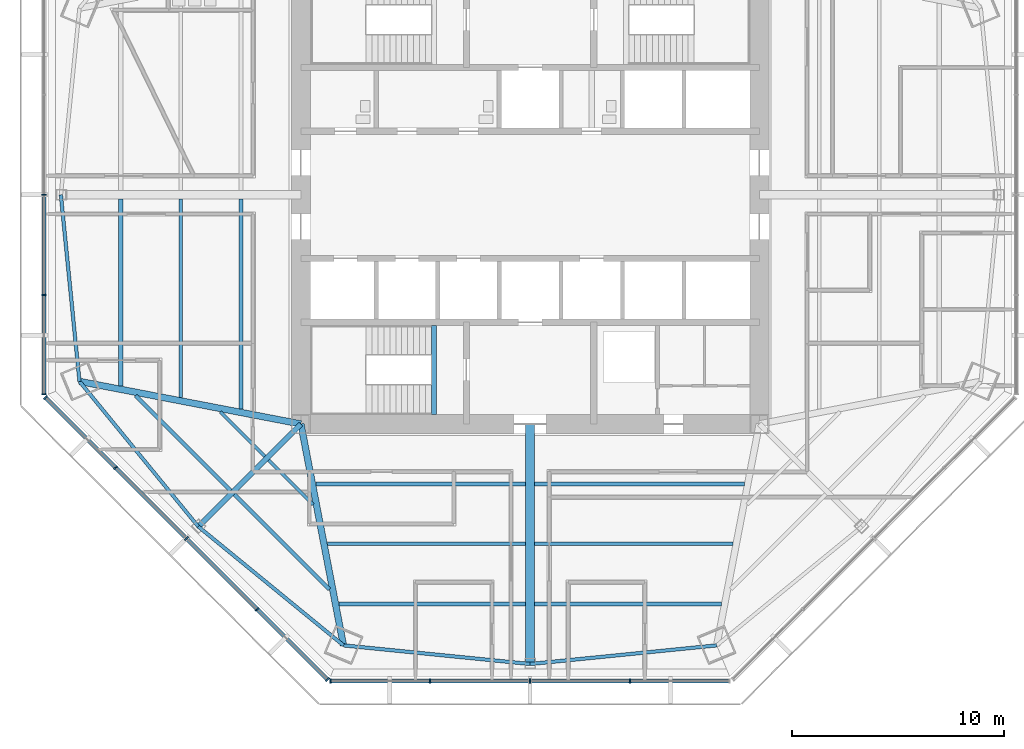
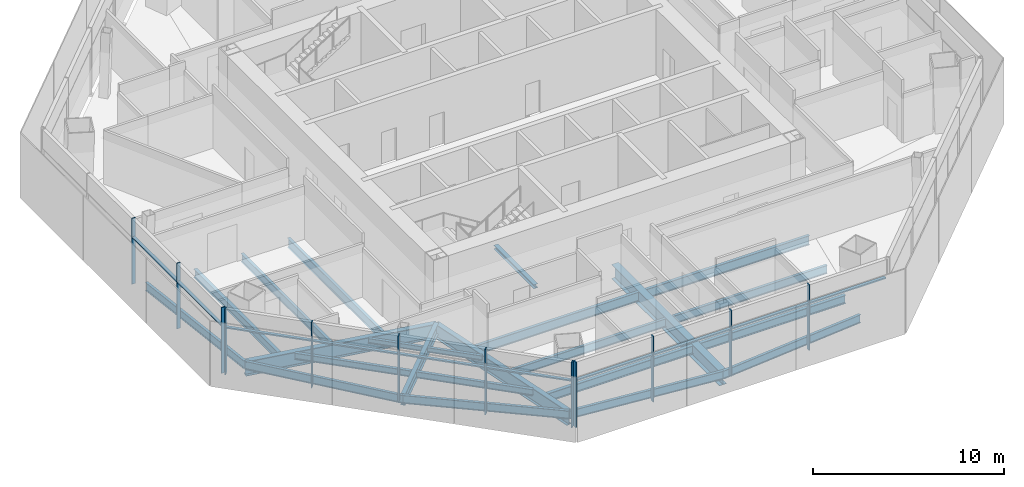
# One storey, part 2 of 14: 23 beams, 22 members, 3 elements without a shape of their own.
"""IFC4 building model written with IfcOpenShell, lengths in metres."""

import ifcopenshell
import ifcopenshell.guid

model = None  # the IFC model being written
_history = None  # IfcOwnerHistory: only IFC2X3 demands one
_inside = {}  # id of a spatial element -> (the spatial element, [elements in it])
_under = {}  # id of a project, library or spatial element -> (it, [spatial elements below it])
_declared = {}  # id of a project -> (the project, [libraries it declares])
_typed = {}  # id of a type object -> (the type object, [elements of that type])
_made_of = {}  # id of a material, layer set ... -> (it, [elements and type objects made of it])


def new_model(schema):
    """Start an empty IFC model of exactly this schema.

    Asked for "IFC4X3", IfcOpenShell would pick the latest addendum, in which some entities
    have other attributes; the version numbers below select the first issue.
    IFC2X3 requires an IfcOwnerHistory on every rooted entity: one is made here for all.
    """
    global model, _history
    if schema == "IFC4X3":
        model = ifcopenshell.file(schema_version=(4, 3, 0, 0))
    else:
        model = ifcopenshell.file(schema=schema)
    _inside.clear()
    _under.clear()
    _declared.clear()
    _typed.clear()
    _made_of.clear()
    _history = None
    if model.schema == "IFC2X3":
        org = make("IfcOrganization", Name="unknown")
        user = make(
            "IfcPersonAndOrganization",
            ThePerson=make("IfcPerson", FamilyName="unknown"),
            TheOrganization=org,
        )
        app = make(
            "IfcApplication",
            ApplicationDeveloper=org,
            Version="unknown",
            ApplicationFullName="unknown",
            ApplicationIdentifier="unknown",
        )
        _history = make(
            "IfcOwnerHistory",
            OwningUser=user,
            OwningApplication=app,
            ChangeAction="ADDED",
            CreationDate=0,
        )
    return model


def make(cls, **values):
    """One entity of the class cls with the attributes given. An attribute that is None is left unset."""
    return model.create_entity(
        cls, **{name: value for name, value in values.items() if value is not None}
    )


def rooted(cls, **values):
    """An entity with a GlobalId (a new one), such as an element, a storey or a relation."""
    return make(cls, GlobalId=ifcopenshell.guid.new(), OwnerHistory=_history, **values)


def si_unit(unit_type, name, prefix=None):
    """IfcSIUnit, for example si_unit("LENGTHUNIT", "METRE", prefix="MILLI")."""
    return make("IfcSIUnit", UnitType=unit_type, Prefix=prefix, Name=name)


def assignment(units):
    """IfcUnitAssignment: the units of a project."""
    return None if units is None else make("IfcUnitAssignment", Units=units)


def point(xyz):
    """IfcCartesianPoint."""
    return None if xyz is None else make("IfcCartesianPoint", Coordinates=xyz)


def direction(xyz):
    """IfcDirection."""
    return None if xyz is None else make("IfcDirection", DirectionRatios=xyz)


def frame(location, z_axis=None, x_axis=None):
    """IfcAxis2Placement3D, a coordinate frame: its origin and axes. An axis left out is left unset."""
    return make(
        "IfcAxis2Placement3D",
        Location=point(location),
        Axis=direction(z_axis),
        RefDirection=direction(x_axis),
    )


def frame_2d(location, x_axis=None):
    """IfcAxis2Placement2D, a coordinate frame in the plane: its origin and x axis."""
    return make(
        "IfcAxis2Placement2D", Location=point(location), RefDirection=direction(x_axis)
    )


def origin():
    """The frame at (0, 0, 0) with its axes left unset."""
    return frame((0.0, 0.0, 0.0))


def origin_2d():
    """The frame at (0, 0) in the plane with its x axis left unset."""
    return frame_2d((0.0, 0.0))


def place(relative_to, where):
    """IfcLocalPlacement: puts the frame where relative to a parent placement (None: the world)."""
    return make(
        "IfcLocalPlacement", PlacementRelTo=relative_to, RelativePlacement=where
    )


def context(
    kind, dimensions, precision=None, world=None, true_north=None, identifier=None
):
    """IfcGeometricRepresentationContext, for example the 3D "Model" context."""
    return make(
        "IfcGeometricRepresentationContext",
        ContextIdentifier=identifier,
        ContextType=kind,
        CoordinateSpaceDimension=dimensions,
        Precision=precision,
        WorldCoordinateSystem=world,
        TrueNorth=true_north,
    )


def subcontext(parent, identifier, kind, view, scale=None):
    """IfcGeometricRepresentationSubContext, for example "Body" below "Model"."""
    return make(
        "IfcGeometricRepresentationSubContext",
        ContextIdentifier=identifier,
        ContextType=kind,
        ParentContext=parent,
        TargetScale=scale,
        TargetView=view,
    )


def project(units=None, contexts=None):
    """IfcProject with its units and contexts."""
    return rooted(
        "IfcProject",
        Name="project",
        RepresentationContexts=contexts,
        UnitsInContext=assignment(units),
    )


def spatial(cls, under=None, at=None, **own):
    """A site, building, storey or space (cls), placed at a placement, below another one or the project."""
    s = rooted(cls, ObjectPlacement=at, **own)
    if under is not None:
        _under.setdefault(under.id(), (under, []))[1].append(s)
    return s


def profile(cls, at=None, kind="AREA", **sizes):
    """A parametric profile (cls). Its sizes go by their IFC names, for example OverallWidth=200.0."""
    return make(cls, ProfileType=kind, Position=at, **sizes)


def rectangle(**sizes):
    """IfcRectangleProfileDef."""
    return profile("IfcRectangleProfileDef", **sizes)


def i_section(**sizes):
    """IfcIShapeProfileDef."""
    return profile("IfcIShapeProfileDef", **sizes)


def extrude(swept, where, along, depth):
    """IfcExtrudedAreaSolid: the profile swept, set in the frame where, extruded along a direction by depth."""
    return make(
        "IfcExtrudedAreaSolid",
        SweptArea=swept,
        Position=where,
        ExtrudedDirection=direction(along),
        Depth=depth,
    )


def shape(context_of_items, identifier, shape_type, items):
    """IfcShapeRepresentation: the items that make up one representation, for example the "Body"."""
    return make(
        "IfcShapeRepresentation",
        ContextOfItems=context_of_items,
        RepresentationIdentifier=identifier,
        RepresentationType=shape_type,
        Items=items,
    )


def source(mapping_origin, context_of_items, identifier, shape_type, items):
    """IfcRepresentationMap: a shape defined once, which mapped items show again and again."""
    return make(
        "IfcRepresentationMap",
        MappingOrigin=mapping_origin,
        MappedRepresentation=shape(context_of_items, identifier, shape_type, items),
    )


def transform(
    local_origin,
    x_axis=None,
    y_axis=None,
    z_axis=None,
    scale=None,
    scale2=None,
    scale3=None,
    uniform=True,
):
    """IfcCartesianTransformationOperator3D, or its non-uniform kind. x_axis, y_axis, z_axis: its Axis1, 2, 3."""
    if uniform:
        return make(
            "IfcCartesianTransformationOperator3D",
            Axis1=direction(x_axis),
            Axis2=direction(y_axis),
            LocalOrigin=point(local_origin),
            Scale=scale,
            Axis3=direction(z_axis),
        )
    return make(
        "IfcCartesianTransformationOperator3DnonUniform",
        Axis1=direction(x_axis),
        Axis2=direction(y_axis),
        LocalOrigin=point(local_origin),
        Scale=scale,
        Axis3=direction(z_axis),
        Scale2=scale2,
        Scale3=scale3,
    )


def mapped(mapping_source, mapping_target):
    """IfcMappedItem: shows the shape of a source again, moved by a transform."""
    return make(
        "IfcMappedItem", MappingSource=mapping_source, MappingTarget=mapping_target
    )


def material(Name=None, Category=None):
    """IfcMaterial."""
    return make("IfcMaterial", Name=Name, Category=Category)


def material_profile(
    of_material, cross_section, Name=None, Category=None, Priority=None
):
    """IfcMaterialProfile: a cross section and its material."""
    return make(
        "IfcMaterialProfile",
        Name=Name,
        Material=of_material,
        Profile=cross_section,
        Priority=Priority,
        Category=Category,
    )


def profile_set(profiles, Name=None, composite=None):
    """IfcMaterialProfileSet."""
    return make(
        "IfcMaterialProfileSet",
        Name=Name,
        MaterialProfiles=profiles,
        CompositeProfile=composite,
    )


def made_of(thing, what):
    """Note that an element or type object is made of a material, layer set ...; save() writes the relation."""
    if what is not None:
        _made_of.setdefault(what.id(), (what, []))[1].append(thing)
    return thing


def type_object(cls, material=None, **own):
    """A type object (cls), such as IfcWallType, which elements share."""
    return made_of(rooted(cls, **own), material)


def type_shapes(of_type, sources):
    """Give a type object the sources (RepresentationMaps) that its elements show as mapped items."""
    of_type.RepresentationMaps = sources


def element(
    cls,
    number,
    at=None,
    inside=None,
    cuts=None,
    type_object=None,
    material=None,
    context=None,
    identifier="Body",
    shape_type=None,
    held_by="IfcProductDefinitionShape",
    body=None,
    shapes=None,
    **own,
):
    """One element of the class cls, such as IfcWall. Its Tag is "e" and its number.

    at: its placement. inside: the storey or other place that contains it. cuts: it is an
    opening in that element (IfcRelVoidsElement). A single representation is given by context,
    identifier, shape_type and body (its items); several are given by shapes. held_by: the class
    of the entity that holds the representations. save() writes the other relations.
    """
    e = rooted(cls, Tag="e%d" % number, ObjectPlacement=at, **own)
    if body is not None:
        shapes = [shape(context, identifier, shape_type, body)]
    if shapes is not None:
        e.Representation = make(held_by, Representations=shapes)
    if inside is not None:
        _inside.setdefault(inside.id(), (inside, []))[1].append(e)
    if cuts is not None:
        rooted(
            "IfcRelVoidsElement", RelatingBuildingElement=cuts, RelatedOpeningElement=e
        )
    if type_object is not None:
        _typed.setdefault(type_object.id(), (type_object, []))[1].append(e)
    return made_of(e, material)


def aggregate(whole, parts):
    """IfcRelAggregates: a whole, such as a stair, and the parts it consists of."""
    return rooted("IfcRelAggregates", RelatingObject=whole, RelatedObjects=parts)


def save(model, path):
    """Write the relations noted so far, then the file.

    IfcRelAggregates (storeys below a building ...), IfcRelContainedInSpatialStructure (elements
    in a storey), IfcRelDefinesByType, IfcRelAssociatesMaterial and IfcRelDeclares: one each for
    every whole, place, type object, material and project.
    """
    for whole, parts in _under.values():
        aggregate(whole, parts)
    for where, things in _inside.values():
        rooted(
            "IfcRelContainedInSpatialStructure",
            RelatedElements=things,
            RelatingStructure=where,
        )
    for kind, things in _typed.values():
        rooted("IfcRelDefinesByType", RelatedObjects=things, RelatingType=kind)
    for what, things in _made_of.values():
        rooted("IfcRelAssociatesMaterial", RelatedObjects=things, RelatingMaterial=what)
    for by, libraries in _declared.values():
        rooted("IfcRelDeclares", RelatingContext=by, RelatedDefinitions=libraries)
    model.write(path)


model = new_model("IFC4")

# Units and contexts
model_context = context("Model", 3, precision=1e-05, world=origin(), true_north=direction((0.0, 1.0)))
body_context = subcontext(model_context, "Body", "Model", "MODEL_VIEW")
ifc_project = project(units=[si_unit("LENGTHUNIT", "METRE"), si_unit("AREAUNIT", "SQUARE_METRE"), si_unit("VOLUMEUNIT", "CUBIC_METRE"), si_unit("PLANEANGLEUNIT", "RADIAN"), si_unit("MASSUNIT", "GRAM", prefix="KILO")], contexts=[model_context])

# Site, building, storey
site_placement = place(None, origin())
site = spatial("IfcSite", under=ifc_project, at=site_placement, CompositionType="ELEMENT")
building_placement = place(site_placement, origin())
building = spatial("IfcBuilding", under=site, at=building_placement, Name="Mashrafa Tower", CompositionType="ELEMENT")
storey_placement = place(building_placement, frame((0.0, 0.0, 180.60009765625)))
storey = spatial("IfcBuildingStorey", under=building, at=storey_placement, Name="L41", CompositionType="ELEMENT", Elevation=180.60009765625)

# Beams
ifc_material_1 = material(Name="Steel ASTM A992", Category="steel")
ifc_material_profile_1 = material_profile(ifc_material_1, i_section(OverallWidth=0.164794921875, OverallDepth=0.309814453125, WebThickness=0.005859375, FlangeThickness=0.009765625, FilletRadius=0.007568359375, at=origin_2d()), Name="W12X26")
ifc_profile_set_1 = profile_set([ifc_material_profile_1], Name="Steel ASTM A992")
beam_type_1 = type_object("IfcBeamType", Name="Beam W12X26", PredefinedType="BEAM", material=ifc_profile_set_1)
for number, where, z_axis, x_axis, name in (
    (1, (-12.501220703125, -12.32177734375, -0.320068359375), (-0.707106781187, 0.707106781187, 0.0), (-0.707106781187, -0.707106781187, 0.0), "Floor beam L41 011"),
    (2, (-10.226806640625, -14.59619140625, -0.320068359375), (-0.707106781187, 0.707106781187, 0.0), (-0.707106781187, -0.707106781187, 0.0), "Floor beam L41 014"),
):
    element("IfcBeam", number, at=place(storey_placement, frame(where, z_axis=z_axis, x_axis=x_axis)), inside=storey, type_object=beam_type_1, Name=name, PredefinedType="BEAM", context=body_context, shape_type="SweptSolid", body=[
        extrude(i_section(OverallWidth=0.164794921875, OverallDepth=0.309814453125, WebThickness=0.005859375, FlangeThickness=0.009765625, FilletRadius=0.007568359375, at=origin_2d()), origin(), (0.0, 0.0, 1.0), 2.962646484375),
    ])
ifc_material_2 = material(Name="Steel ASTM A992", Category="steel")
ifc_material_profile_2 = material_profile(ifc_material_2, i_section(OverallWidth=0.177734375, OverallDepth=0.406494140625, WebThickness=0.0078125, FlangeThickness=0.012939453125, FilletRadius=0.01025390625, at=origin_2d()), Name="W16X40")
ifc_profile_set_2 = profile_set([ifc_material_profile_2], Name="Steel ASTM A992")
beam_type_2 = type_object("IfcBeamType", Name="Beam W16X40", PredefinedType="BEAM", material=ifc_profile_set_2)
for number, where, z_axis, x_axis, name in (
    (3, (-14.11279296875, -13.93310546875, -0.368408203125), (-0.707106781187, 0.707106781187, 0.0), (-0.707106781187, -0.707106781187, 0.0), "Floor beam L41 007"),
    (4, (-9.459716796875, -18.586181640625, -0.368408203125), (-0.707106781187, 0.707106781187, 0.0), (-0.707106781187, -0.707106781187, 0.0), "Floor beam L41 016"),
):
    element("IfcBeam", number, at=place(storey_placement, frame(where, z_axis=z_axis, x_axis=x_axis)), inside=storey, type_object=beam_type_2, Name=name, PredefinedType="BEAM", context=body_context, shape_type="SweptSolid", body=[
        extrude(i_section(OverallWidth=0.177734375, OverallDepth=0.406494140625, WebThickness=0.0078125, FlangeThickness=0.012939453125, FilletRadius=0.01025390625, at=origin_2d()), origin(), (0.0, 0.0, 1.0), 6.326416015625),
    ])
ifc_material_3 = material(Name="Steel ASTM A992", Category="steel")
ifc_material_profile_3 = material_profile(ifc_material_3, i_section(OverallWidth=0.1650390625, OverallDepth=0.52587890625, WebThickness=0.0087890625, FlangeThickness=0.011474609375, FilletRadius=0.0126953125, at=origin_2d()), Name="W21X44")
ifc_profile_set_3 = profile_set([ifc_material_profile_3], Name="Steel ASTM A992")
beam_type_3 = type_object("IfcBeamType", Name="Beam W21X44", PredefinedType="BEAM", material=ifc_profile_set_3)
for number, where, z_axis, x_axis, name in (
    (5, (-16.455078125, -9.556396484375, -0.427978515625), (0.0, 1.0, 0.0), (-1.0, 0.0, 0.0), "Floor beam L41 004"),
    (6, (-0.20947265625, -16.455078125, -0.427978515625), (-1.0, 0.0, 0.0), (0.0, -1.0, 0.0), "Floor beam L41 019"),
    (7, (9.556396484375, -16.455078125, -0.427978515625), (-1.0, 0.0, 0.0), (0.0, -1.0, 0.0), "Floor beam L41 026"),
):
    element("IfcBeam", number, at=place(storey_placement, frame(where, z_axis=z_axis, x_axis=x_axis)), inside=storey, type_object=beam_type_3, Name=name, PredefinedType="BEAM", context=body_context, shape_type="SweptSolid", body=[
        extrude(i_section(OverallWidth=0.1650390625, OverallDepth=0.52587890625, WebThickness=0.0087890625, FlangeThickness=0.011474609375, FilletRadius=0.0126953125, at=origin_2d()), origin(), (0.0, 0.0, 1.0), 9.346923828125),
    ])
beam_1_placement = place(storey_placement, frame((-22.110595703125, 0.0, -0.427978515625), z_axis=(0.099358767287, -0.99505167472, 0.0), x_axis=(0.99505167472, 0.099358767287, 0.0)))
element("IfcBeam", 8, at=beam_1_placement, inside=storey, type_object=beam_type_3, Name="Spandrel beam L41 057", PredefinedType="BEAM", context=body_context, shape_type="SweptSolid", body=[
    extrude(i_section(OverallWidth=0.1650390625, OverallDepth=0.52587890625, WebThickness=0.0087890625, FlangeThickness=0.011474609375, FilletRadius=0.0126953125, at=origin_2d()), origin(), (0.0, 0.0, 1.0), 8.83837890625),
])
for number, where, z_axis, x_axis, name in (
    (9, (-21.232421875, -8.794677734375, -0.427978515625), (0.63335059718, -0.773864988904, 0.0), (0.773864988904, 0.63335059718, 0.0), "Spandrel beam L41 058"),
    (10, (-15.634521484375, -15.634521484375, -0.427978515625), (0.773864988904, -0.63335059718, 0.0), (0.63335059718, 0.773864988904, 0.0), "Spandrel beam L41 060"),
):
    element("IfcBeam", number, at=place(storey_placement, frame(where, z_axis=z_axis, x_axis=x_axis)), inside=storey, type_object=beam_type_3, Name=name, PredefinedType="BEAM", context=body_context, shape_type="SweptSolid", body=[
        extrude(i_section(OverallWidth=0.1650390625, OverallDepth=0.52587890625, WebThickness=0.0087890625, FlangeThickness=0.011474609375, FilletRadius=0.0126953125, at=origin_2d()), origin(), (0.0, 0.0, 1.0), 8.838623046875),
    ])
for number, where, z_axis, x_axis, name in (
    (11, (-8.794677734375, -21.232421875, -0.427978515625), (0.99505167472, -0.099358767287, 0.0), (0.099358767287, 0.99505167472, 0.0), "Spandrel beam L41 062"),
    (12, (0.0, -22.110595703125, -0.427978515625), (0.99505167472, 0.099358767287, 0.0), (-0.099358767287, 0.99505167472, 0.0), "Spandrel beam L41 064"),
):
    element("IfcBeam", number, at=place(storey_placement, frame(where, z_axis=z_axis, x_axis=x_axis)), inside=storey, type_object=beam_type_3, Name=name, PredefinedType="BEAM", context=body_context, shape_type="SweptSolid", body=[
        extrude(i_section(OverallWidth=0.1650390625, OverallDepth=0.52587890625, WebThickness=0.0087890625, FlangeThickness=0.011474609375, FilletRadius=0.0126953125, at=origin_2d()), origin(), (0.0, 0.0, 1.0), 8.83837890625),
    ])
ifc_material_4 = material(Name="Steel ASTM A992", Category="steel")
ifc_material_profile_4 = material_profile(ifc_material_4, i_section(OverallWidth=0.209228515625, OverallDepth=0.533447265625, WebThickness=0.01025390625, FlangeThickness=0.015625, FilletRadius=0.012939453125, at=origin_2d()), Name="W21X62")
ifc_profile_set_4 = profile_set([ifc_material_profile_4], Name="Steel ASTM A992")
beam_type_4 = type_object("IfcBeamType", Name="Beam W21X62", PredefinedType="BEAM", material=ifc_profile_set_4)
for number, where, z_axis, x_axis, name in (
    (13, (-19.282958984375, -9.012939453125, -0.431884765625), (0.0, 1.0, 0.0), (-1.0, 0.0, 0.0), "Floor beam L41 001"),
    (14, (-0.20947265625, -19.282958984375, -0.431884765625), (-1.0, 0.0, 0.0), (0.0, -1.0, 0.0), "Floor beam L41 018"),
    (15, (9.012939453125, -19.282958984375, -0.431884765625), (-1.0, 0.0, 0.0), (0.0, -1.0, 0.0), "Floor beam L41 024"),
):
    element("IfcBeam", number, at=place(storey_placement, frame(where, z_axis=z_axis, x_axis=x_axis)), inside=storey, type_object=beam_type_4, Name=name, PredefinedType="BEAM", context=body_context, shape_type="SweptSolid", body=[
        extrude(i_section(OverallWidth=0.209228515625, OverallDepth=0.533447265625, WebThickness=0.01025390625, FlangeThickness=0.015625, FilletRadius=0.012939453125, at=origin_2d()), origin(), (0.0, 0.0, 1.0), 8.803466796875),
    ])
ifc_material_5 = material(Name="Steel ASTM A992", Category="steel")
ifc_material_profile_5 = material_profile(ifc_material_5, i_section(OverallWidth=0.177978515625, OverallDepth=0.599365234375, WebThickness=0.010009765625, FlangeThickness=0.012939453125, FilletRadius=0.012939453125, at=origin_2d()), Name="W24X55")
ifc_profile_set_5 = profile_set([ifc_material_profile_5], Name="Steel ASTM A992")
beam_type_5 = type_object("IfcBeamType", Name="Beam W24X55", PredefinedType="BEAM", material=ifc_profile_set_5)
for number, where, z_axis, x_axis, name in (
    (16, (-13.627685546875, -10.10009765625, -0.46484375), (0.0, 1.0, 0.0), (-1.0, 0.0, 0.0), "Floor beam L41 009"),
    (17, (-0.20947265625, -13.627685546875, -0.46484375), (-1.0, 0.0, 0.0), (0.0, -1.0, 0.0), "Floor beam L41 020"),
    (18, (10.10009765625, -13.627685546875, -0.46484375), (-1.0, 0.0, 0.0), (0.0, -1.0, 0.0), "Floor beam L41 028"),
):
    element("IfcBeam", number, at=place(storey_placement, frame(where, z_axis=z_axis, x_axis=x_axis)), inside=storey, type_object=beam_type_5, Name=name, PredefinedType="BEAM", context=body_context, shape_type="SweptSolid", body=[
        extrude(i_section(OverallWidth=0.177978515625, OverallDepth=0.599365234375, WebThickness=0.010009765625, FlangeThickness=0.012939453125, FilletRadius=0.012939453125, at=origin_2d()), origin(), (0.0, 0.0, 1.0), 9.890625),
    ])
ifc_material_6 = material(Name="Steel ASTM A992", Category="steel")
ifc_material_profile_6 = material_profile(ifc_material_6, i_section(OverallWidth=0.25390625, OverallDepth=0.683349609375, WebThickness=0.012451171875, FlangeThickness=0.01904296875, FilletRadius=0.01513671875, at=origin_2d()), Name="W27X94")
ifc_profile_set_6 = profile_set([ifc_material_profile_6], Name="Steel ASTM A992")
beam_type_6 = type_object("IfcBeamType", Name="Beam W27X94", PredefinedType="BEAM", material=ifc_profile_set_6)
beam_2_placement = place(storey_placement, frame((-10.800048828125, -10.800048828125, -0.5068359375), z_axis=(-0.707106781187, -0.707106781187, 0.0), x_axis=(0.707106781187, -0.707106781187, 0.0)))
element("IfcBeam", 19, at=beam_2_placement, inside=storey, type_object=beam_type_6, Name="Radial girder L41 042", PredefinedType="BEAM", context=body_context, shape_type="SweptSolid", body=[
    extrude(i_section(OverallWidth=0.25390625, OverallDepth=0.683349609375, WebThickness=0.012451171875, FlangeThickness=0.01904296875, FilletRadius=0.01513671875, at=origin_2d()), origin(), (0.0, 0.0, 1.0), 6.8369140625),
])
ifc_material_7 = material(Name="Steel ASTM A992", Category="steel")
ifc_material_profile_7 = material_profile(ifc_material_7, i_section(OverallWidth=0.307373046875, OverallDepth=0.927001953125, WebThickness=0.01953125, FlangeThickness=0.031982421875, FilletRadius=0.01904296875, at=origin_2d()), Name="W36X194")
ifc_profile_set_7 = profile_set([ifc_material_profile_7], Name="Steel ASTM A992")
beam_type_7 = type_object("IfcBeamType", Name="Beam W36X194", PredefinedType="BEAM", material=ifc_profile_set_7)
for number, where, z_axis, x_axis, name in (
    (20, (-10.800048828125, -10.800048828125, -0.628662109375), (-0.982021360566, 0.188769826489, 0.0), (-0.188769826489, -0.982021360566, 0.0), "Radial girder L41 041"),
    (21, (-10.800048828125, -10.800048828125, -0.628662109375), (0.188769826489, -0.982021360566, 0.0), (0.982021360566, 0.188769826489, 0.0), "Radial girder L41 043"),
):
    element("IfcBeam", number, at=place(storey_placement, frame(where, z_axis=z_axis, x_axis=x_axis)), inside=storey, type_object=beam_type_7, Name=name, PredefinedType="BEAM", context=body_context, shape_type="SweptSolid", body=[
        extrude(i_section(OverallWidth=0.307373046875, OverallDepth=0.927001953125, WebThickness=0.01953125, FlangeThickness=0.031982421875, FilletRadius=0.01904296875, at=origin_2d()), origin(), (0.0, 0.0, 1.0), 10.623291015625),
    ])
ifc_material_8 = material(Name="Steel ASTM A992", Category="steel")
ifc_material_profile_8 = material_profile(ifc_material_8, i_section(OverallWidth=0.419189453125, OverallDepth=0.927001953125, WebThickness=0.019287109375, FlangeThickness=0.031982421875, FilletRadius=0.020263671875, at=origin_2d()), Name="W36X231")
ifc_profile_set_8 = profile_set([ifc_material_profile_8], Name="Steel ASTM A992")
beam_type_8 = type_object("IfcBeamType", Name="Beam W36X231", PredefinedType="BEAM", material=ifc_profile_set_8)
beam_3_placement = place(storey_placement, frame((0.0, -10.800048828125, -0.628662109375), z_axis=(0.0, -1.0, 0.0), x_axis=(1.0, 0.0, 0.0)))
element("IfcBeam", 22, at=beam_3_placement, inside=storey, type_object=beam_type_8, Name="Radial girder L41 048", PredefinedType="BEAM", context=body_context, shape_type="SweptSolid", body=[
    extrude(i_section(OverallWidth=0.419189453125, OverallDepth=0.927001953125, WebThickness=0.019287109375, FlangeThickness=0.031982421875, FilletRadius=0.020263671875, at=origin_2d()), origin(), (0.0, 0.0, 1.0), 11.310546875),
])
ifc_material_9 = material(Name="Steel ASTM A992", Category="steel")
ifc_material_profile_9 = material_profile(ifc_material_9, i_section(OverallWidth=0.25390625, OverallDepth=0.25390625, WebThickness=0.008544921875, FlangeThickness=0.01416015625, FilletRadius=0.010009765625, at=origin_2d()), Name="W10X49")
ifc_profile_set_9 = profile_set([ifc_material_profile_9], Name="Steel ASTM A992")
beam_type_9 = type_object("IfcBeamType", Name="Hoistway beam W10X49", PredefinedType="BEAM", material=ifc_profile_set_9)
beam_4_placement = place(storey_placement, frame((-4.530029296875, -10.35009765625, -0.3271484375), z_axis=(0.0, 1.0, 0.0), x_axis=(-1.0, 0.0, 0.0)))
element("IfcBeam", 23, at=beam_4_placement, inside=storey, type_object=beam_type_9, Name="Stair S3 landing beam L41", PredefinedType="BEAM", context=body_context, shape_type="SweptSolid", body=[
    extrude(i_section(OverallWidth=0.25390625, OverallDepth=0.25390625, WebThickness=0.008544921875, FlangeThickness=0.01416015625, FilletRadius=0.010009765625, at=origin_2d()), origin(), (0.0, 0.0, 1.0), 4.2001953125),
])

# Curtain wall, members
ifc_material_10 = material(Name="Unitised aluminium curtain wall", Category="aluminium")
curtain_wall_type = type_object("IfcCurtainWallType", Name="Office curtain wall, zone 2 CW-B 225 deep", PredefinedType="NOTDEFINED", material=ifc_material_10)
curtain_wall_1_placement = place(storey_placement, origin())
curtain_wall_1 = element("IfcCurtainWall", 24, at=curtain_wall_1_placement, inside=storey, type_object=curtain_wall_type, Name="Office curtain wall, zone 2 L41 west", PredefinedType="NOTDEFINED")
ifc_material_11 = material(Name="Extruded aluminium mullion", Category="aluminium")
ifc_material_profile_10 = material_profile(ifc_material_11, rectangle(XDim=0.22509765625, YDim=0.06494140625, at=origin_2d()), Name="Mullion 65x225")
ifc_profile_set_10 = profile_set([ifc_material_profile_10], Name="Extruded aluminium mullion")
member_type_1 = type_object("IfcMemberType", Name="Mullion CW-B 65 x 225", PredefinedType="MULLION", material=ifc_profile_set_10)
shared_shape_1 = source(origin(), body_context, "Body", "SweptSolid", [
    extrude(rectangle(XDim=0.22509765625, YDim=0.06494140625, at=origin_2d()), origin(), (0.0, 0.0, 1.0), 4.199951171875),
])
type_shapes(member_type_1, [shared_shape_1])
member_1_placement = place(storey_placement, frame((-22.90576171875, 0.0, 0.0), z_axis=(0.0, 0.0, 1.0), x_axis=(1.0, 0.0, 0.0)))
member_1 = element("IfcMember", 25, at=member_1_placement, type_object=member_type_1, Name="CW-B mullion 3", PredefinedType="MULLION", context=body_context, shape_type="MappedRepresentation", body=[
    mapped(shared_shape_1, transform((0.0, 0.0, 0.0))),
])
member_2_placement = place(storey_placement, frame((-22.90576171875, -4.715576171875, 0.0), z_axis=(0.0, 0.0, 1.0), x_axis=(1.0, 0.0, 0.0)))
member_2 = element("IfcMember", 26, at=member_2_placement, type_object=member_type_1, Name="CW-B mullion 4", PredefinedType="MULLION", context=body_context, shape_type="MappedRepresentation", body=[
    mapped(shared_shape_1, transform((0.0, 0.0, 0.0))),
])
member_3_placement = place(storey_placement, frame((-22.90576171875, -9.398681640625, 0.0), z_axis=(0.0, 0.0, 1.0), x_axis=(1.0, 0.0, 0.0)))
member_3 = element("IfcMember", 27, at=member_3_placement, type_object=member_type_1, Name="CW-B mullion 5", PredefinedType="MULLION", context=body_context, shape_type="MappedRepresentation", body=[
    mapped(shared_shape_1, transform((0.0, 0.0, 0.0))),
])

curtain_wall_2_placement = place(storey_placement, origin())
curtain_wall_2 = element("IfcCurtainWall", 28, at=curtain_wall_2_placement, inside=storey, type_object=curtain_wall_type, Name="Office curtain wall, zone 2 L41 south-west", PredefinedType="NOTDEFINED")
member_4_placement = place(storey_placement, frame((-22.8427734375, -9.55078125, 0.0), z_axis=(0.0, 0.0, 1.0), x_axis=(0.707106781187, 0.707106781187, 0.0)))
member_4 = element("IfcMember", 29, at=member_4_placement, type_object=member_type_1, Name="CW-B mullion 1", PredefinedType="MULLION", context=body_context, shape_type="MappedRepresentation", body=[
    mapped(shared_shape_1, transform((0.0, 0.0, 0.0))),
])
member_5_placement = place(storey_placement, frame((-19.53125, -12.8623046875, 0.0), z_axis=(0.0, 0.0, 1.0), x_axis=(0.707106781187, 0.707106781187, 0.0)))
member_5 = element("IfcMember", 30, at=member_5_placement, type_object=member_type_1, Name="CW-B mullion 2", PredefinedType="MULLION", context=body_context, shape_type="MappedRepresentation", body=[
    mapped(shared_shape_1, transform((0.0, 0.0, 0.0))),
])
member_6_placement = place(storey_placement, frame((-16.19677734375, -16.19677734375, 0.0), z_axis=(0.0, 0.0, 1.0), x_axis=(0.707106781187, 0.707106781187, 0.0)))
member_6 = element("IfcMember", 31, at=member_6_placement, type_object=member_type_1, Name="CW-B mullion 3", PredefinedType="MULLION", context=body_context, shape_type="MappedRepresentation", body=[
    mapped(shared_shape_1, transform((0.0, 0.0, 0.0))),
])
member_7_placement = place(storey_placement, frame((-12.8623046875, -19.53125, 0.0), z_axis=(0.0, 0.0, 1.0), x_axis=(0.707106781187, 0.707106781187, 0.0)))
member_7 = element("IfcMember", 32, at=member_7_placement, type_object=member_type_1, Name="CW-B mullion 4", PredefinedType="MULLION", context=body_context, shape_type="MappedRepresentation", body=[
    mapped(shared_shape_1, transform((0.0, 0.0, 0.0))),
])
member_8_placement = place(storey_placement, frame((-9.55078125, -22.8427734375, 0.0), z_axis=(0.0, 0.0, 1.0), x_axis=(0.707106781187, 0.707106781187, 0.0)))
member_8 = element("IfcMember", 33, at=member_8_placement, type_object=member_type_1, Name="CW-B mullion 5", PredefinedType="MULLION", context=body_context, shape_type="MappedRepresentation", body=[
    mapped(shared_shape_1, transform((0.0, 0.0, 0.0))),
])

curtain_wall_3_placement = place(storey_placement, origin())
curtain_wall_3 = element("IfcCurtainWall", 34, at=curtain_wall_3_placement, inside=storey, type_object=curtain_wall_type, Name="Office curtain wall, zone 2 L41 south", PredefinedType="NOTDEFINED")
member_9_placement = place(storey_placement, frame((-9.398681640625, -22.90576171875, 0.0), z_axis=(0.0, 0.0, 1.0), x_axis=(0.0, 1.0, 0.0)))
member_9 = element("IfcMember", 35, at=member_9_placement, type_object=member_type_1, Name="CW-B mullion 1", PredefinedType="MULLION", context=body_context, shape_type="MappedRepresentation", body=[
    mapped(shared_shape_1, transform((0.0, 0.0, 0.0))),
])
member_10_placement = place(storey_placement, frame((-4.715576171875, -22.90576171875, 0.0), z_axis=(0.0, 0.0, 1.0), x_axis=(0.0, 1.0, 0.0)))
member_10 = element("IfcMember", 36, at=member_10_placement, type_object=member_type_1, Name="CW-B mullion 2", PredefinedType="MULLION", context=body_context, shape_type="MappedRepresentation", body=[
    mapped(shared_shape_1, transform((0.0, 0.0, 0.0))),
])
member_11_placement = place(storey_placement, frame((0.0, -22.90576171875, 0.0), z_axis=(0.0, 0.0, 1.0), x_axis=(0.0, 1.0, 0.0)))
member_11 = element("IfcMember", 37, at=member_11_placement, type_object=member_type_1, Name="CW-B mullion 3", PredefinedType="MULLION", context=body_context, shape_type="MappedRepresentation", body=[
    mapped(shared_shape_1, transform((0.0, 0.0, 0.0))),
])
member_12_placement = place(storey_placement, frame((4.715576171875, -22.90576171875, 0.0), z_axis=(0.0, 0.0, 1.0), x_axis=(0.0, 1.0, 0.0)))
member_12 = element("IfcMember", 38, at=member_12_placement, type_object=member_type_1, Name="CW-B mullion 4", PredefinedType="MULLION", context=body_context, shape_type="MappedRepresentation", body=[
    mapped(shared_shape_1, transform((0.0, 0.0, 0.0))),
])

# Member
ifc_material_12 = material(Name="Extruded aluminium transom", Category="aluminium")
ifc_material_profile_11 = material_profile(ifc_material_12, rectangle(XDim=0.179931640625, YDim=0.080078125, at=origin_2d()), Name="Transom 80x180")
ifc_profile_set_11 = profile_set([ifc_material_profile_11], Name="Extruded aluminium transom")
member_type_2 = type_object("IfcMemberType", Name="Transom CW-B 80 x 180", PredefinedType="MULLION", material=ifc_profile_set_11)
shared_shape_2 = source(origin(), body_context, "Body", "SweptSolid", [
    extrude(rectangle(XDim=0.179931640625, YDim=0.080078125, at=origin_2d()), origin(), (0.0, 0.0, 1.0), 4.6181640625),
])
member_13_placement = place(storey_placement, frame((-22.90576171875, -4.748046875, 3.0), z_axis=(0.0, -1.0, 0.0), x_axis=(1.0, 0.0, 0.0)))
member_13 = element("IfcMember", 39, at=member_13_placement, type_object=member_type_2, Name="CW-B transom 4", PredefinedType="MULLION", context=body_context, shape_type="MappedRepresentation", body=[
    mapped(shared_shape_2, transform((0.0, 0.0, 0.0))),
])

member_14_placement = place(storey_placement, frame((-22.81982421875, -9.573974609375, 3.0), z_axis=(0.707133213603, -0.707080347782, 0.0), x_axis=(0.707080347782, 0.707133213603, 0.0)))
member_14 = element("IfcMember", 40, at=member_14_placement, type_object=member_type_2, Name="CW-B transom 1", PredefinedType="MULLION", context=body_context, shape_type="MappedRepresentation", body=[
    mapped(shared_shape_2, transform((0.0, 0.0, 0.0))),
])

member_15_placement = place(storey_placement, frame((-12.83935546875, -19.55419921875, 3.0), z_axis=(0.707080347782, -0.707133213603, 0.0), x_axis=(0.707133213603, 0.707080347782, 0.0)))
member_15 = element("IfcMember", 41, at=member_15_placement, type_object=member_type_2, Name="CW-B transom 4", PredefinedType="MULLION", context=body_context, shape_type="MappedRepresentation", body=[
    mapped(shared_shape_2, transform((0.0, 0.0, 0.0))),
])

member_16_placement = place(storey_placement, frame((-9.3662109375, -22.90576171875, 3.0), z_axis=(1.0, 0.0, 0.0), x_axis=(0.0, 1.0, 0.0)))
member_16 = element("IfcMember", 42, at=member_16_placement, type_object=member_type_2, Name="CW-B transom 1", PredefinedType="MULLION", context=body_context, shape_type="MappedRepresentation", body=[
    mapped(shared_shape_2, transform((0.0, 0.0, 0.0))),
])

member_17_placement = place(storey_placement, frame((4.748046875, -22.90576171875, 3.0), z_axis=(1.0, 0.0, 0.0), x_axis=(0.0, 1.0, 0.0)))
member_17 = element("IfcMember", 43, at=member_17_placement, type_object=member_type_2, Name="CW-B transom 4", PredefinedType="MULLION", context=body_context, shape_type="MappedRepresentation", body=[
    mapped(shared_shape_2, transform((0.0, 0.0, 0.0))),
])

shared_shape_3 = source(origin(), body_context, "Body", "SweptSolid", [
    extrude(rectangle(XDim=0.179931640625, YDim=0.080078125, at=origin_2d()), origin(), (0.0, 0.0, 1.0), 4.650634765625),
])
type_shapes(member_type_2, [shared_shape_2, shared_shape_3])
member_18_placement = place(storey_placement, frame((-22.90576171875, -0.032470703125, 3.0), z_axis=(0.0, -1.0, 0.0), x_axis=(1.0, 0.0, 0.0)))
member_18 = element("IfcMember", 44, at=member_18_placement, type_object=member_type_2, Name="CW-B transom 3", PredefinedType="MULLION", context=body_context, shape_type="MappedRepresentation", body=[
    mapped(shared_shape_3, transform((0.0, 0.0, 0.0))),
])

aggregate(curtain_wall_1, [member_1, member_2, member_3, member_18, member_13])

member_19_placement = place(storey_placement, frame((-19.50830078125, -12.88525390625, 3.0), z_axis=(0.707106781187, -0.707106781187, 0.0), x_axis=(0.707106781187, 0.707106781187, 0.0)))
member_19 = element("IfcMember", 45, at=member_19_placement, type_object=member_type_2, Name="CW-B transom 2", PredefinedType="MULLION", context=body_context, shape_type="MappedRepresentation", body=[
    mapped(shared_shape_3, transform((0.0, 0.0, 0.0))),
])

member_20_placement = place(storey_placement, frame((-16.173828125, -16.2197265625, 3.0), z_axis=(0.707106781187, -0.707106781187, 0.0), x_axis=(0.707106781187, 0.707106781187, 0.0)))
member_20 = element("IfcMember", 46, at=member_20_placement, type_object=member_type_2, Name="CW-B transom 3", PredefinedType="MULLION", context=body_context, shape_type="MappedRepresentation", body=[
    mapped(shared_shape_3, transform((0.0, 0.0, 0.0))),
])

aggregate(curtain_wall_2, [member_4, member_5, member_6, member_7, member_8, member_14, member_19, member_20, member_15])

member_21_placement = place(storey_placement, frame((-4.68310546875, -22.90576171875, 3.0), z_axis=(1.0, 0.0, 0.0), x_axis=(0.0, 1.0, 0.0)))
member_21 = element("IfcMember", 47, at=member_21_placement, type_object=member_type_2, Name="CW-B transom 2", PredefinedType="MULLION", context=body_context, shape_type="MappedRepresentation", body=[
    mapped(shared_shape_3, transform((0.0, 0.0, 0.0))),
])

member_22_placement = place(storey_placement, frame((0.032470703125, -22.90576171875, 3.0), z_axis=(1.0, 0.0, 0.0), x_axis=(0.0, 1.0, 0.0)))
member_22 = element("IfcMember", 48, at=member_22_placement, type_object=member_type_2, Name="CW-B transom 3", PredefinedType="MULLION", context=body_context, shape_type="MappedRepresentation", body=[
    mapped(shared_shape_3, transform((0.0, 0.0, 0.0))),
])

aggregate(curtain_wall_3, [member_9, member_10, member_11, member_12, member_16, member_21, member_22, member_17])

save(model, "model.ifc")
